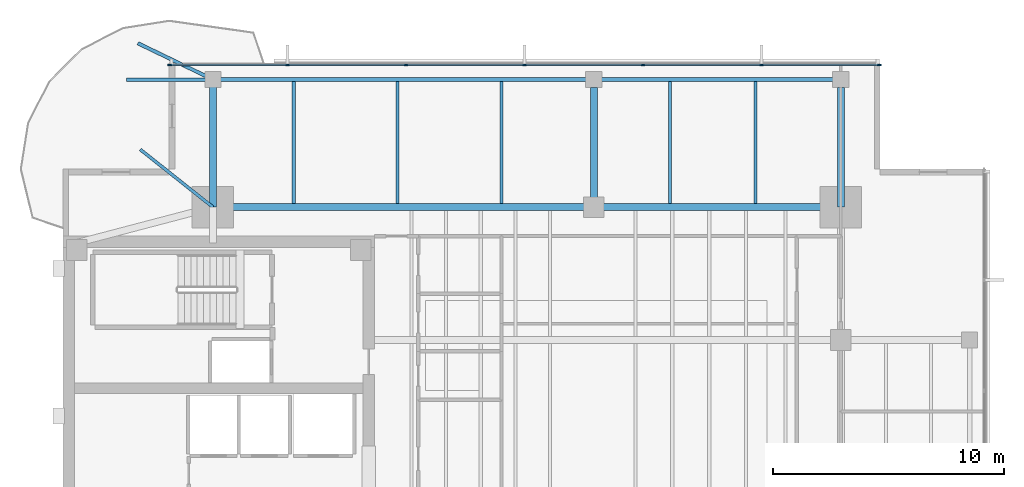
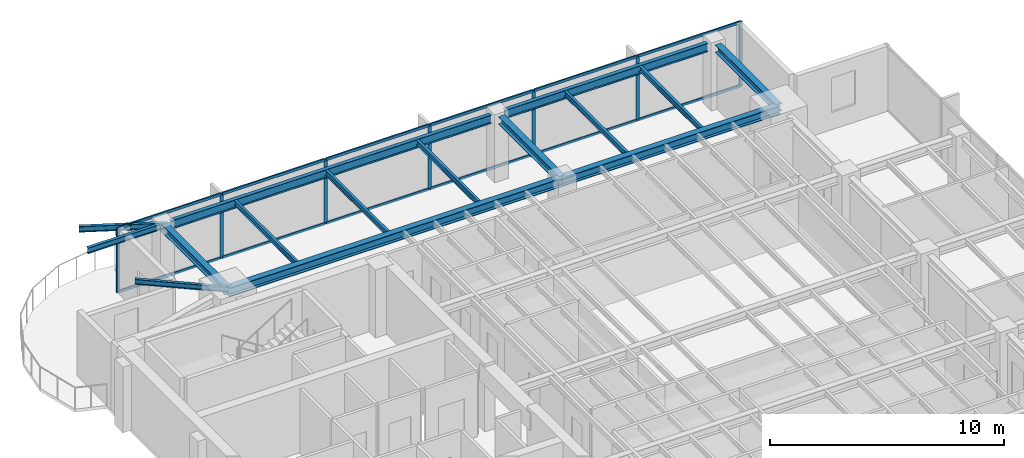
# One storey, part 5 of 14: 19 members, 15 beams, 1 element without a shape of its own.
"""IFC4 building model written with IfcOpenShell, lengths in metres."""

from ifc_helpers import new_model, si_unit, direction, frame, origin, origin_2d, place, context, subcontext, project, spatial, rectangle, i_section, extrude, material, layer, layer_set, material_profile, profile_set, type_object, element, aggregate, save


model = new_model("IFC4")

# Units and contexts
model_context = context("Model", 3, precision=1e-05, world=origin(), true_north=direction((0.0, 1.0)))
body_context = subcontext(model_context, "Body", "Model", "MODEL_VIEW")
ifc_project = project(units=[si_unit("LENGTHUNIT", "METRE"), si_unit("AREAUNIT", "SQUARE_METRE"), si_unit("VOLUMEUNIT", "CUBIC_METRE"), si_unit("PLANEANGLEUNIT", "RADIAN"), si_unit("MASSUNIT", "GRAM", prefix="KILO")], contexts=[model_context])

# Site, building, storey
site_placement = place(None, origin())
site = spatial("IfcSite", under=ifc_project, at=site_placement, CompositionType="ELEMENT")
building_placement = place(site_placement, origin())
building = spatial("IfcBuilding", under=site, at=building_placement, Name="Kinhvarn Gate Tower", CompositionType="ELEMENT")
storey_placement = place(building_placement, frame((0.0, 0.0, 274.10009765625)))
storey = spatial("IfcBuildingStorey", under=building, at=storey_placement, Name="L73", CompositionType="ELEMENT", Elevation=274.10009765625)

# Curtain wall, members
ifc_material_1 = material(Name="Anodised aluminium AW-6063", Category="aluminium")
ifc_layer = layer(ifc_material_1, 0.179931640625)
ifc_layer_set = layer_set([ifc_layer], Name="Anodised aluminium AW-6063")
curtain_wall_type = type_object("IfcCurtainWallType", Name="CW-SYS-3", PredefinedType="NOTDEFINED", material=ifc_layer_set)
curtain_wall_placement = place(storey_placement, origin())
curtain_wall = element("IfcCurtainWall", 1, at=curtain_wall_placement, inside=storey, type_object=curtain_wall_type, Name="Curtain Wall CW3 (L73)", PredefinedType="NOTDEFINED")
ifc_material_profile_1 = material_profile(ifc_material_1, rectangle(XDim=0.06494140625, YDim=0.159912109375, at=origin_2d()), Name="ALU 65x160")
ifc_profile_set_1 = profile_set([ifc_material_profile_1], Name="Anodised aluminium AW-6063")
member_type_1 = type_object("IfcMemberType", Name="CW-MUL-160", PredefinedType="MULLION", material=ifc_profile_set_1)
member_1_placement = place(storey_placement, frame((39.867431640625, 43.909912109375, 0.0), z_axis=(0.0, 0.0, 1.0), x_axis=(0.0, -1.0, 0.0)))
member_1 = element("IfcMember", 2, at=member_1_placement, type_object=member_type_1, Name="CW3 mullion 1", PredefinedType="MULLION", context=body_context, shape_type="SweptSolid", body=[
    extrude(rectangle(XDim=0.06494140625, YDim=0.159912109375, at=origin_2d()), origin(), (0.0, 0.0, 1.0), 3.389892578125),
])
member_2_placement = place(storey_placement, frame((34.7666015625, 43.909912109375, 0.0), z_axis=(0.0, 0.0, 1.0), x_axis=(0.0, -1.0, 0.0)))
member_2 = element("IfcMember", 3, at=member_2_placement, type_object=member_type_1, Name="CW3 mullion 2", PredefinedType="MULLION", context=body_context, shape_type="SweptSolid", body=[
    extrude(rectangle(XDim=0.06494140625, YDim=0.159912109375, at=origin_2d()), origin(), (0.0, 0.0, 1.0), 3.389892578125),
])
member_3_placement = place(storey_placement, frame((29.63330078125, 43.909912109375, 0.0), z_axis=(0.0, 0.0, 1.0), x_axis=(0.0, -1.0, 0.0)))
member_3 = element("IfcMember", 4, at=member_3_placement, type_object=member_type_1, Name="CW3 mullion 3", PredefinedType="MULLION", context=body_context, shape_type="SweptSolid", body=[
    extrude(rectangle(XDim=0.06494140625, YDim=0.159912109375, at=origin_2d()), origin(), (0.0, 0.0, 1.0), 3.389892578125),
])
member_4_placement = place(storey_placement, frame((24.5, 43.909912109375, 0.0), z_axis=(0.0, 0.0, 1.0), x_axis=(0.0, -1.0, 0.0)))
member_4 = element("IfcMember", 5, at=member_4_placement, type_object=member_type_1, Name="CW3 mullion 4", PredefinedType="MULLION", context=body_context, shape_type="SweptSolid", body=[
    extrude(rectangle(XDim=0.06494140625, YDim=0.159912109375, at=origin_2d()), origin(), (0.0, 0.0, 1.0), 3.389892578125),
])
member_5_placement = place(storey_placement, frame((19.36669921875, 43.909912109375, 0.0), z_axis=(0.0, 0.0, 1.0), x_axis=(0.0, -1.0, 0.0)))
member_5 = element("IfcMember", 6, at=member_5_placement, type_object=member_type_1, Name="CW3 mullion 5", PredefinedType="MULLION", context=body_context, shape_type="SweptSolid", body=[
    extrude(rectangle(XDim=0.06494140625, YDim=0.159912109375, at=origin_2d()), origin(), (0.0, 0.0, 1.0), 3.389892578125),
])
member_6_placement = place(storey_placement, frame((14.2333984375, 43.909912109375, 0.0), z_axis=(0.0, 0.0, 1.0), x_axis=(0.0, -1.0, 0.0)))
member_6 = element("IfcMember", 7, at=member_6_placement, type_object=member_type_1, Name="CW3 mullion 6", PredefinedType="MULLION", context=body_context, shape_type="SweptSolid", body=[
    extrude(rectangle(XDim=0.06494140625, YDim=0.159912109375, at=origin_2d()), origin(), (0.0, 0.0, 1.0), 3.389892578125),
])
member_7_placement = place(storey_placement, frame((9.132568359375, 43.909912109375, 0.0), z_axis=(0.0, 0.0, 1.0), x_axis=(0.0, -1.0, 0.0)))
member_7 = element("IfcMember", 8, at=member_7_placement, type_object=member_type_1, Name="CW3 mullion 7", PredefinedType="MULLION", context=body_context, shape_type="SweptSolid", body=[
    extrude(rectangle(XDim=0.06494140625, YDim=0.159912109375, at=origin_2d()), origin(), (0.0, 0.0, 1.0), 3.389892578125),
])
ifc_material_profile_2 = material_profile(ifc_material_1, rectangle(XDim=0.070068359375, YDim=0.139892578125, at=origin_2d()), Name="ALU 70x140")
ifc_profile_set_2 = profile_set([ifc_material_profile_2], Name="Anodised aluminium AW-6063")
member_type_2 = type_object("IfcMemberType", Name="CW-TRN-140", PredefinedType="USERDEFINED", material=ifc_profile_set_2)
member_8_placement = place(storey_placement, frame((39.8349609375, 43.909912109375, 0.034912109375), z_axis=(-1.0, 0.0, 0.0), x_axis=(0.0, -1.0, 0.0)))
member_8 = element("IfcMember", 9, at=member_8_placement, type_object=member_type_2, Name="CW3 transom 1.1", ObjectType="TRANSOM", PredefinedType="USERDEFINED", context=body_context, shape_type="SweptSolid", body=[
    extrude(rectangle(XDim=0.070068359375, YDim=0.139892578125, at=origin_2d()), origin(), (0.0, 0.0, 1.0), 5.035888671875),
])
member_9_placement = place(storey_placement, frame((39.8349609375, 43.909912109375, 3.35498046875), z_axis=(-1.0, 0.0, 0.0), x_axis=(0.0, -1.0, 0.0)))
member_9 = element("IfcMember", 10, at=member_9_placement, type_object=member_type_2, Name="CW3 transom 1.2", ObjectType="TRANSOM", PredefinedType="USERDEFINED", context=body_context, shape_type="SweptSolid", body=[
    extrude(rectangle(XDim=0.070068359375, YDim=0.139892578125, at=origin_2d()), origin(), (0.0, 0.0, 1.0), 5.035888671875),
])
member_10_placement = place(storey_placement, frame((34.734130859375, 43.909912109375, 0.034912109375), z_axis=(-1.0, 0.0, 0.0), x_axis=(0.0, -1.0, 0.0)))
member_10 = element("IfcMember", 11, at=member_10_placement, type_object=member_type_2, Name="CW3 transom 2.1", ObjectType="TRANSOM", PredefinedType="USERDEFINED", context=body_context, shape_type="SweptSolid", body=[
    extrude(rectangle(XDim=0.070068359375, YDim=0.139892578125, at=origin_2d()), origin(), (0.0, 0.0, 1.0), 5.068359375),
])
member_11_placement = place(storey_placement, frame((34.734130859375, 43.909912109375, 3.35498046875), z_axis=(-1.0, 0.0, 0.0), x_axis=(0.0, -1.0, 0.0)))
member_11 = element("IfcMember", 12, at=member_11_placement, type_object=member_type_2, Name="CW3 transom 2.2", ObjectType="TRANSOM", PredefinedType="USERDEFINED", context=body_context, shape_type="SweptSolid", body=[
    extrude(rectangle(XDim=0.070068359375, YDim=0.139892578125, at=origin_2d()), origin(), (0.0, 0.0, 1.0), 5.068359375),
])
member_12_placement = place(storey_placement, frame((29.600830078125, 43.909912109375, 0.034912109375), z_axis=(-1.0, 0.0, 0.0), x_axis=(0.0, -1.0, 0.0)))
member_12 = element("IfcMember", 13, at=member_12_placement, type_object=member_type_2, Name="CW3 transom 3.1", ObjectType="TRANSOM", PredefinedType="USERDEFINED", context=body_context, shape_type="SweptSolid", body=[
    extrude(rectangle(XDim=0.070068359375, YDim=0.139892578125, at=origin_2d()), origin(), (0.0, 0.0, 1.0), 5.068359375),
])
member_13_placement = place(storey_placement, frame((29.600830078125, 43.909912109375, 3.35498046875), z_axis=(-1.0, 0.0, 0.0), x_axis=(0.0, -1.0, 0.0)))
member_13 = element("IfcMember", 14, at=member_13_placement, type_object=member_type_2, Name="CW3 transom 3.2", ObjectType="TRANSOM", PredefinedType="USERDEFINED", context=body_context, shape_type="SweptSolid", body=[
    extrude(rectangle(XDim=0.070068359375, YDim=0.139892578125, at=origin_2d()), origin(), (0.0, 0.0, 1.0), 5.068359375),
])
member_14_placement = place(storey_placement, frame((24.467529296875, 43.909912109375, 0.034912109375), z_axis=(-1.0, 0.0, 0.0), x_axis=(0.0, -1.0, 0.0)))
member_14 = element("IfcMember", 15, at=member_14_placement, type_object=member_type_2, Name="CW3 transom 4.1", ObjectType="TRANSOM", PredefinedType="USERDEFINED", context=body_context, shape_type="SweptSolid", body=[
    extrude(rectangle(XDim=0.070068359375, YDim=0.139892578125, at=origin_2d()), origin(), (0.0, 0.0, 1.0), 5.068359375),
])
member_15_placement = place(storey_placement, frame((24.467529296875, 43.909912109375, 3.35498046875), z_axis=(-1.0, 0.0, 0.0), x_axis=(0.0, -1.0, 0.0)))
member_15 = element("IfcMember", 16, at=member_15_placement, type_object=member_type_2, Name="CW3 transom 4.2", ObjectType="TRANSOM", PredefinedType="USERDEFINED", context=body_context, shape_type="SweptSolid", body=[
    extrude(rectangle(XDim=0.070068359375, YDim=0.139892578125, at=origin_2d()), origin(), (0.0, 0.0, 1.0), 5.068359375),
])
member_16_placement = place(storey_placement, frame((19.334228515625, 43.909912109375, 0.034912109375), z_axis=(-1.0, 0.0, 0.0), x_axis=(0.0, -1.0, 0.0)))
member_16 = element("IfcMember", 17, at=member_16_placement, type_object=member_type_2, Name="CW3 transom 5.1", ObjectType="TRANSOM", PredefinedType="USERDEFINED", context=body_context, shape_type="SweptSolid", body=[
    extrude(rectangle(XDim=0.070068359375, YDim=0.139892578125, at=origin_2d()), origin(), (0.0, 0.0, 1.0), 5.068359375),
])
member_17_placement = place(storey_placement, frame((19.334228515625, 43.909912109375, 3.35498046875), z_axis=(-1.0, 0.0, 0.0), x_axis=(0.0, -1.0, 0.0)))
member_17 = element("IfcMember", 18, at=member_17_placement, type_object=member_type_2, Name="CW3 transom 5.2", ObjectType="TRANSOM", PredefinedType="USERDEFINED", context=body_context, shape_type="SweptSolid", body=[
    extrude(rectangle(XDim=0.070068359375, YDim=0.139892578125, at=origin_2d()), origin(), (0.0, 0.0, 1.0), 5.068359375),
])
member_18_placement = place(storey_placement, frame((14.200927734375, 43.909912109375, 0.034912109375), z_axis=(-1.0, 0.0, 0.0), x_axis=(0.0, -1.0, 0.0)))
member_18 = element("IfcMember", 19, at=member_18_placement, type_object=member_type_2, Name="CW3 transom 6.1", ObjectType="TRANSOM", PredefinedType="USERDEFINED", context=body_context, shape_type="SweptSolid", body=[
    extrude(rectangle(XDim=0.070068359375, YDim=0.139892578125, at=origin_2d()), origin(), (0.0, 0.0, 1.0), 5.035888671875),
])
member_19_placement = place(storey_placement, frame((14.200927734375, 43.909912109375, 3.35498046875), z_axis=(-1.0, 0.0, 0.0), x_axis=(0.0, -1.0, 0.0)))
member_19 = element("IfcMember", 20, at=member_19_placement, type_object=member_type_2, Name="CW3 transom 6.2", ObjectType="TRANSOM", PredefinedType="USERDEFINED", context=body_context, shape_type="SweptSolid", body=[
    extrude(rectangle(XDim=0.070068359375, YDim=0.139892578125, at=origin_2d()), origin(), (0.0, 0.0, 1.0), 5.035888671875),
])
aggregate(curtain_wall, [member_1, member_2, member_3, member_4, member_5, member_6, member_7, member_8, member_9, member_10, member_11, member_12, member_13, member_14, member_15, member_16, member_17, member_18, member_19])

# Beams
ifc_material_2 = material(Name="Steel S355", Category="steel")
ifc_material_profile_3 = material_profile(ifc_material_2, i_section(OverallWidth=0.300048828125, OverallDepth=0.39990234375, WebThickness=0.013427734375, FlangeThickness=0.02392578125, at=origin_2d()), Name="HEB 400")
ifc_profile_set_3 = profile_set([ifc_material_profile_3], Name="Steel S355")
beam_type_1 = type_object("IfcBeamType", Name="STL-HEB400", PredefinedType="BEAM", material=ifc_profile_set_3)
beam_1_placement = place(storey_placement, frame((11.0, 37.75, 3.18994140625), z_axis=(0.0, 1.0, 0.0), x_axis=(-1.0, 0.0, 0.0)))
element("IfcBeam", 21, at=beam_1_placement, inside=storey, type_object=beam_type_1, Name="Floor Beam PG-12 (L73 MCW-N)", PredefinedType="BEAM", context=body_context, shape_type="SweptSolid", body=[
    extrude(i_section(OverallWidth=0.300048828125, OverallDepth=0.39990234375, WebThickness=0.013427734375, FlangeThickness=0.02392578125, at=origin_2d()), origin(), (0.0, 0.0, 1.0), 5.530029296875),
])
for number, where, z_axis, x_axis, name in (
    (22, (27.5, 37.75, 3.18994140625), (0.0, 1.0, 0.0), (-1.0, 0.0, 0.0), "Floor Beam PG-12 (L73 SP27-N-TIE)"),
    (23, (38.199951171875, 37.75, 3.18994140625), (0.0, 1.0, 0.0), (-1.0, 0.0, 0.0), "Floor Beam PG-12 (L73 MCE-N)"),
):
    element("IfcBeam", number, at=place(storey_placement, frame(where, z_axis=z_axis, x_axis=x_axis)), inside=storey, type_object=beam_type_1, Name=name, PredefinedType="BEAM", context=body_context, shape_type="SweptSolid", body=[
        extrude(i_section(OverallWidth=0.300048828125, OverallDepth=0.39990234375, WebThickness=0.013427734375, FlangeThickness=0.02392578125, at=origin_2d()), origin(), (0.0, 0.0, 1.0), 5.195068359375),
    ])
ifc_material_profile_4 = material_profile(ifc_material_2, i_section(OverallWidth=0.300048828125, OverallDepth=0.449951171875, WebThickness=0.013916015625, FlangeThickness=0.02587890625, at=origin_2d()), Name="HEB 450")
ifc_profile_set_4 = profile_set([ifc_material_profile_4], Name="Steel S355")
beam_type_2 = type_object("IfcBeamType", Name="STL-HEB450", PredefinedType="BEAM", material=ifc_profile_set_4)
beam_2_placement = place(storey_placement, frame((11.0, 37.75, 3.164794921875), z_axis=(1.0, 0.0, 0.0), x_axis=(0.0, 1.0, 0.0)))
element("IfcBeam", 24, at=beam_2_placement, inside=storey, type_object=beam_type_2, Name="Floor Beam PG-13 (L73 MG-N1)", PredefinedType="BEAM", context=body_context, shape_type="SweptSolid", body=[
    extrude(i_section(OverallWidth=0.300048828125, OverallDepth=0.449951171875, WebThickness=0.013916015625, FlangeThickness=0.02587890625, at=origin_2d()), origin(), (0.0, 0.0, 1.0), 16.5),
])
beam_3_placement = place(storey_placement, frame((27.5, 37.75, 3.164794921875), z_axis=(1.0, 0.0, 0.0), x_axis=(0.0, 1.0, 0.0)))
element("IfcBeam", 25, at=beam_3_placement, inside=storey, type_object=beam_type_2, Name="Floor Beam PG-13 (L73 MG-N2)", PredefinedType="BEAM", context=body_context, shape_type="SweptSolid", body=[
    extrude(i_section(OverallWidth=0.300048828125, OverallDepth=0.449951171875, WebThickness=0.013916015625, FlangeThickness=0.02587890625, at=origin_2d()), origin(), (0.0, 0.0, 1.0), 10.699951171875),
])
ifc_material_profile_5 = material_profile(ifc_material_2, i_section(OverallWidth=0.135009765625, OverallDepth=0.27001953125, WebThickness=0.006591796875, FlangeThickness=0.01025390625, at=origin_2d()), Name="IPE 270")
ifc_profile_set_5 = profile_set([ifc_material_profile_5], Name="Steel S355")
beam_type_3 = type_object("IfcBeamType", Name="STL-IPE270", PredefinedType="JOIST", material=ifc_profile_set_5)
for number, where, z_axis, x_axis, name in (
    (26, (14.5, 37.89990234375, 3.2548828125), (0.0, 1.0, 0.0), (-1.0, 0.0, 0.0), "Floor Joist SB-01 (L73 JN-X145)"),
    (27, (19.0, 37.89990234375, 3.2548828125), (0.0, 1.0, 0.0), (-1.0, 0.0, 0.0), "Floor Joist SB-01 (L73 JN-X190)"),
    (28, (23.5, 37.89990234375, 3.2548828125), (0.0, 1.0, 0.0), (-1.0, 0.0, 0.0), "Floor Joist SB-01 (L73 JN-X235)"),
    (29, (30.800048828125, 37.89990234375, 3.2548828125), (0.0, 1.0, 0.0), (-1.0, 0.0, 0.0), "Floor Joist SB-01 (L73 JN-X308)"),
    (30, (34.5, 37.89990234375, 3.2548828125), (0.0, 1.0, 0.0), (-1.0, 0.0, 0.0), "Floor Joist SB-01 (L73 JN-X345)"),
):
    element("IfcBeam", number, at=place(storey_placement, frame(where, z_axis=z_axis, x_axis=x_axis)), inside=storey, type_object=beam_type_3, Name=name, PredefinedType="JOIST", context=body_context, shape_type="SweptSolid", body=[
        extrude(i_section(OverallWidth=0.135009765625, OverallDepth=0.27001953125, WebThickness=0.006591796875, FlangeThickness=0.01025390625, at=origin_2d()), origin(), (0.0, 0.0, 1.0), 5.28515625),
    ])
beam_4_placement = place(storey_placement, frame((11.0, 37.75, 3.2548828125), z_axis=(-0.783279518214, 0.621669684275, 0.0), x_axis=(-0.621669684275, -0.783279518214, 0.0)))
element("IfcBeam", 31, at=beam_4_placement, inside=storey, type_object=beam_type_3, Name="Floor Joist SB-01 (L73 BAL-B3-L74)", PredefinedType="JOIST", context=body_context, shape_type="SweptSolid", body=[
    extrude(i_section(OverallWidth=0.135009765625, OverallDepth=0.27001953125, WebThickness=0.006591796875, FlangeThickness=0.01025390625, at=origin_2d()), origin(), (0.0, 0.0, 1.0), 4.021484375),
])
ifc_material_profile_6 = material_profile(ifc_material_2, i_section(OverallWidth=0.14990234375, OverallDepth=0.300048828125, WebThickness=0.007080078125, FlangeThickness=0.0107421875, at=origin_2d()), Name="IPE 300")
ifc_profile_set_6 = profile_set([ifc_material_profile_6], Name="Steel S355")
beam_type_4 = type_object("IfcBeamType", Name="STL-IPE300", PredefinedType="JOIST", material=ifc_profile_set_6)
beam_5_placement = place(storey_placement, frame((11.0, 43.280029296875, 3.239990234375), z_axis=(-1.0, 0.0, 0.0), x_axis=(0.0, -1.0, 0.0)))
element("IfcBeam", 32, at=beam_5_placement, inside=storey, type_object=beam_type_4, Name="Floor Joist SB-02 (L73 BAL-B1-L74)", PredefinedType="JOIST", context=body_context, shape_type="SweptSolid", body=[
    extrude(i_section(OverallWidth=0.14990234375, OverallDepth=0.300048828125, WebThickness=0.007080078125, FlangeThickness=0.0107421875, at=origin_2d()), origin(), (0.0, 0.0, 1.0), 3.75),
])
beam_6_placement = place(storey_placement, frame((11.0, 43.280029296875, 3.239990234375), z_axis=(-0.900431975558, 0.434996847567, 0.0), x_axis=(-0.434996847567, -0.900431975558, 0.0)))
element("IfcBeam", 33, at=beam_6_placement, inside=storey, type_object=beam_type_4, Name="Floor Joist SB-02 (L73 BAL-B2-L74)", PredefinedType="JOIST", context=body_context, shape_type="SweptSolid", body=[
    extrude(i_section(OverallWidth=0.14990234375, OverallDepth=0.300048828125, WebThickness=0.007080078125, FlangeThickness=0.0107421875, at=origin_2d()), origin(), (0.0, 0.0, 1.0), 3.609375),
])
ifc_material_profile_7 = material_profile(ifc_material_2, i_section(OverallWidth=0.18994140625, OverallDepth=0.449951171875, WebThickness=0.009521484375, FlangeThickness=0.0146484375, at=origin_2d()), Name="IPE 450")
ifc_profile_set_7 = profile_set([ifc_material_profile_7], Name="Steel S355")
beam_type_5 = type_object("IfcBeamType", Name="STL-IPE450", PredefinedType="JOIST", material=ifc_profile_set_7)
beam_7_placement = place(storey_placement, frame((11.3349609375, 43.280029296875, 3.164794921875), z_axis=(1.0, 0.0, 0.0), x_axis=(0.0, 1.0, 0.0)))
element("IfcBeam", 34, at=beam_7_placement, inside=storey, type_object=beam_type_5, Name="Floor Joist SB-06 (L73 SP-N1)", PredefinedType="JOIST", context=body_context, shape_type="SweptSolid", body=[
    extrude(i_section(OverallWidth=0.18994140625, OverallDepth=0.449951171875, WebThickness=0.009521484375, FlangeThickness=0.0146484375, at=origin_2d()), origin(), (0.0, 0.0, 1.0), 15.830078125),
])
beam_8_placement = place(storey_placement, frame((27.8349609375, 43.280029296875, 3.164794921875), z_axis=(1.0, 0.0, 0.0), x_axis=(0.0, 1.0, 0.0)))
element("IfcBeam", 35, at=beam_8_placement, inside=storey, type_object=beam_type_5, Name="Floor Joist SB-06 (L73 SP-N2)", PredefinedType="JOIST", context=body_context, shape_type="SweptSolid", body=[
    extrude(i_section(OverallWidth=0.18994140625, OverallDepth=0.449951171875, WebThickness=0.009521484375, FlangeThickness=0.0146484375, at=origin_2d()), origin(), (0.0, 0.0, 1.0), 10.030029296875),
])

save(model, "model.ifc")
